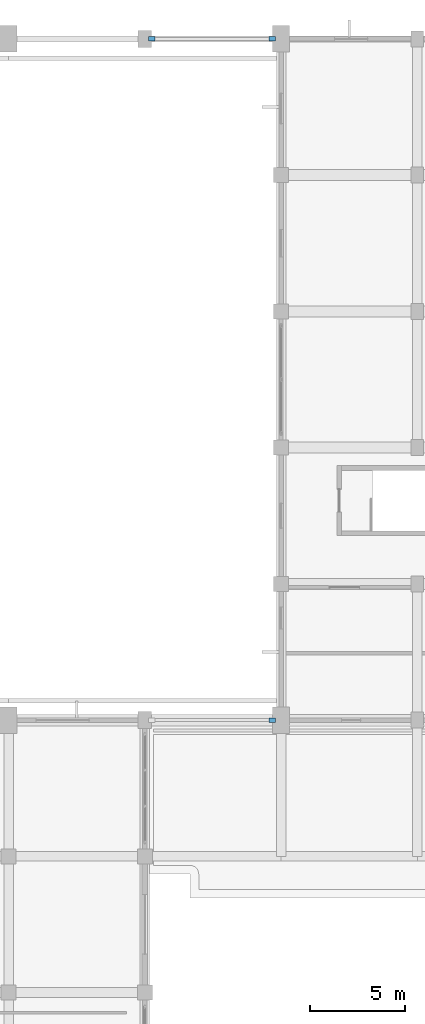
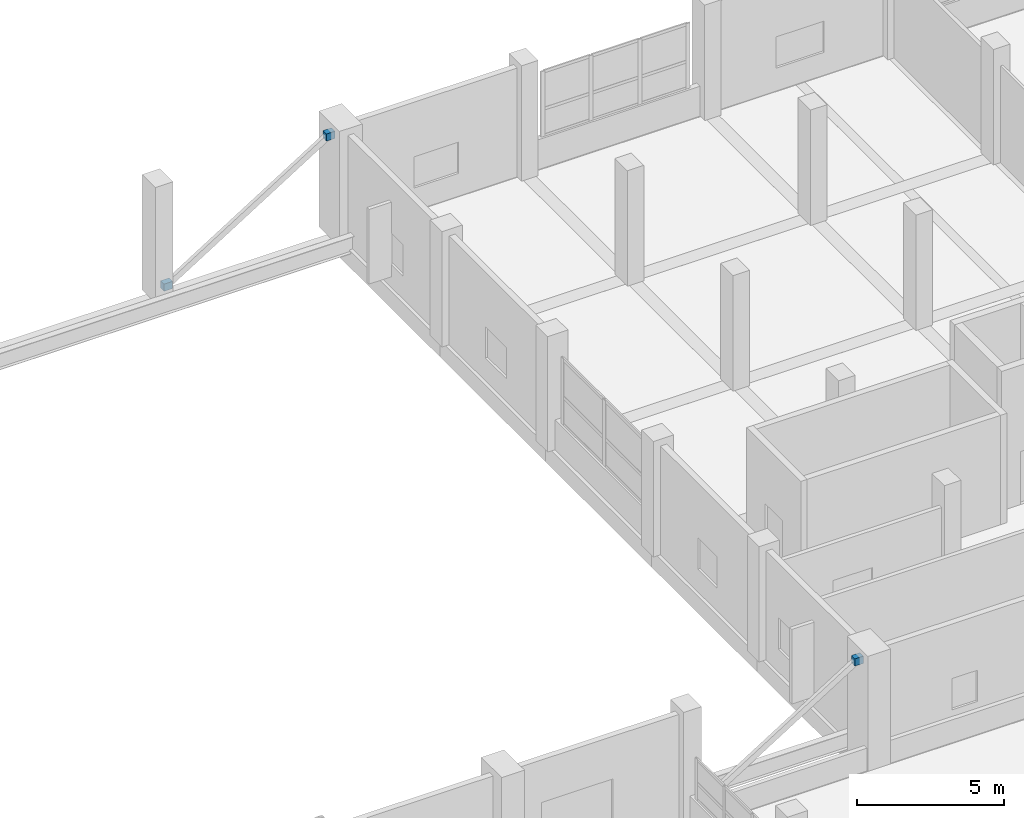
# One storey, part 117 of 140: 3 plates.
"""IFC4 building model written with IfcOpenShell, lengths in metres."""

from ifc_helpers import new_model, si_unit, direction, frame, origin, origin_2d, place, context, subcontext, project, spatial, rectangle, extrude, material, layer, layer_set, type_object, element, save


model = new_model("IFC4")

# Units and contexts
model_context = context("Model", 3, precision=1e-05, world=origin(), true_north=direction((0.0, 1.0)))
body_context = subcontext(model_context, "Body", "Model", "MODEL_VIEW")
ifc_project = project(units=[si_unit("LENGTHUNIT", "METRE"), si_unit("AREAUNIT", "SQUARE_METRE"), si_unit("VOLUMEUNIT", "CUBIC_METRE"), si_unit("PLANEANGLEUNIT", "RADIAN"), si_unit("MASSUNIT", "GRAM", prefix="KILO")], contexts=[model_context])

# Site, building, storey
site_placement = place(None, origin())
site = spatial("IfcSite", under=ifc_project, at=site_placement, CompositionType="ELEMENT")
building_placement = place(site_placement, origin())
building = spatial("IfcBuilding", under=site, at=building_placement, Name="Seraya Terrace Polytechnic", CompositionType="ELEMENT")
storey_placement = place(building_placement, frame((0.0, 0.0, 9.60009765625)))
storey = spatial("IfcBuildingStorey", under=building, at=storey_placement, Name="L02", CompositionType="ELEMENT", Elevation=9.60009765625)

# Plates
ifc_material = material(Name="Steel S355J2", Category="steel")
ifc_layer = layer(ifc_material, 0.300048828125, Name="EP-04")
ifc_layer_set = layer_set([ifc_layer], Name="Steel S355J2")
plate_type = type_object("IfcPlateType", Name="EP-04", PredefinedType="USERDEFINED", material=ifc_layer_set)
for number, where, z_axis, x_axis, name in (
    (1, (114.74169921875, 79.199951171875, 4.10400390625), (0.0, 0.0, 1.0), (1.0, 0.0, 0.0), "Hollow end-cap plate VBR-L02-SE end"),
    (2, (108.358154296875, 115.199951171875, 0.095703125), (0.0, 0.0, 1.0), (1.0, 0.0, 0.0), "Hollow end-cap plate VBR-L02-NE start"),
    (3, (114.74169921875, 115.199951171875, 4.10400390625), (0.0, 0.0, 1.0), (1.0, 0.0, 0.0), "Hollow end-cap plate VBR-L02-NE end"),
):
    element("IfcPlate", number, at=place(storey_placement, frame(where, z_axis=z_axis, x_axis=x_axis)), inside=storey, type_object=plate_type, Name=name, ObjectType="FLANGE_PLATE", PredefinedType="USERDEFINED", context=body_context, shape_type="SweptSolid", body=[
        extrude(rectangle(XDim=0.340087890625, YDim=0.239990234375, at=origin_2d()), origin(), (0.0, 0.0, 1.0), 0.300048828125),
    ])

save(model, "model.ifc")
